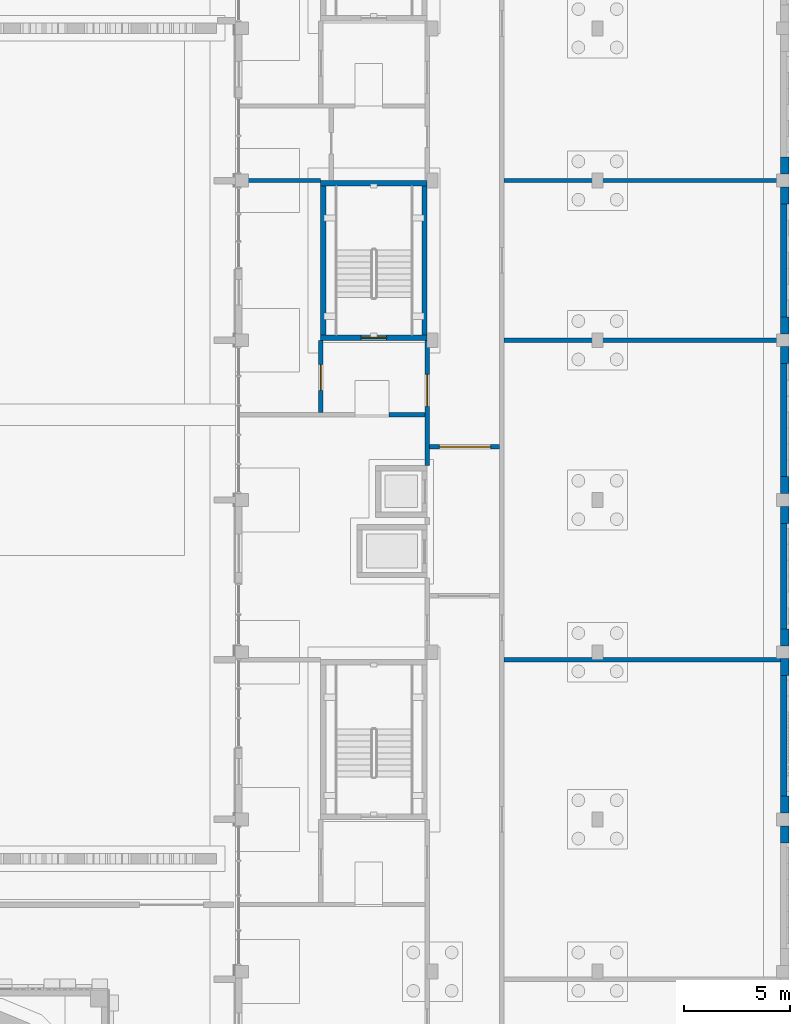
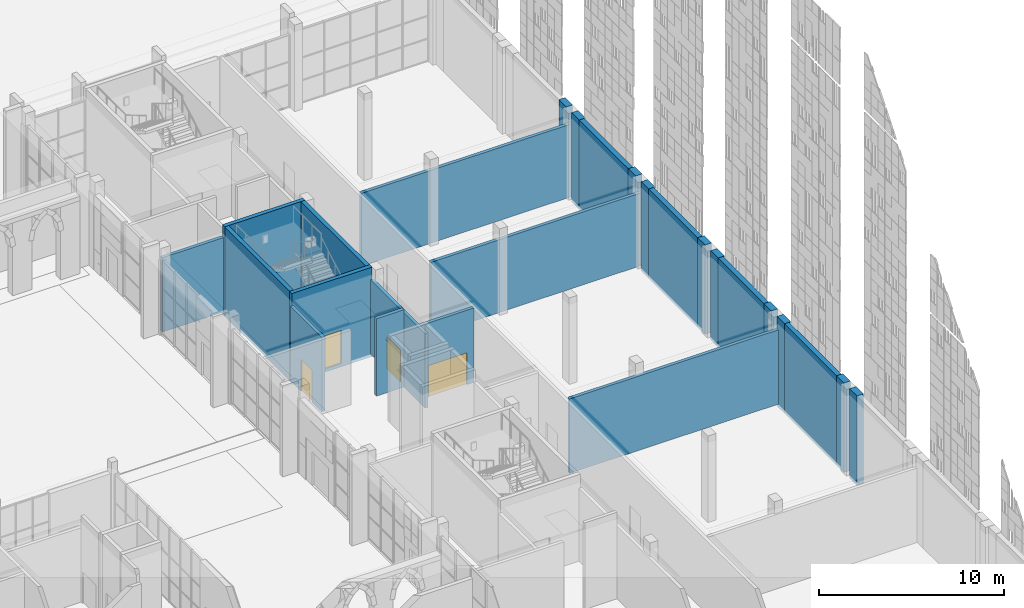
# One storey, part 55 of 125: 26 walls, 4 doors, 4 openings.
"""IFC4 building model written with IfcOpenShell, lengths in metres."""

from ifc_helpers import new_model, si_unit, direction, frame, frame_2d, origin, place, context, subcontext, project, spatial, rectangle, extrude, material, layer, layer_set, type_object, element, fill, save


model = new_model("IFC4")

# Units and contexts
model_context = context("Model", 3, precision=1e-05, world=origin(), true_north=direction((0.0, 1.0)))
body_context = subcontext(model_context, "Body", "Model", "MODEL_VIEW")
ifc_project = project(units=[si_unit("LENGTHUNIT", "METRE"), si_unit("AREAUNIT", "SQUARE_METRE"), si_unit("VOLUMEUNIT", "CUBIC_METRE"), si_unit("PLANEANGLEUNIT", "RADIAN"), si_unit("MASSUNIT", "GRAM", prefix="KILO")], contexts=[model_context])

# Site, building, storey
site_placement = place(None, origin())
site = spatial("IfcSite", under=ifc_project, at=site_placement, CompositionType="ELEMENT")
building_placement = place(site_placement, origin())
building = spatial("IfcBuilding", under=site, at=building_placement, Name="Sun Court Science Centre", CompositionType="ELEMENT")
storey_placement = place(building_placement, origin())
storey = spatial("IfcBuildingStorey", under=building, at=storey_placement, Name="L00", CompositionType="ELEMENT", Elevation=0.0)

# Walls
ifc_material_1 = material(Name="Gypsum board")
ifc_layer_1 = layer(ifc_material_1, 0.199951171875)
ifc_layer_set_1 = layer_set([ifc_layer_1], Name="Gypsum board")
wall_type_1 = type_object("IfcWallType", Name="Partition 200 acoustic double stud", PredefinedType="PARTITIONING", material=ifc_layer_set_1)
for number, where, z_axis, x_axis, name in (
    (1, (90.60009765625, 58.5, 0.0), (0.0, 0.0, 1.0), (1.0, 0.0, 0.0), "L00 partition 012"),
    (2, (90.60009765625, 66.0, 0.0), (0.0, 0.0, 1.0), (1.0, 0.0, 0.0), "L00 partition 014"),
):
    element("IfcWall", number, at=place(storey_placement, frame(where, z_axis=z_axis, x_axis=x_axis)), inside=storey, type_object=wall_type_1, Name=name, PredefinedType="PARTITIONING", context=body_context, shape_type="SweptSolid", body=[
        extrude(rectangle(XDim=13.199951171875, YDim=0.199951171875, at=frame_2d((6.60009765625, 0.0))), origin(), (0.0, 0.0, 1.0), 4.800048828125),
    ])
ifc_material_2 = material(Name="Concrete block", Category="concrete")
ifc_layer_2 = layer(ifc_material_2, 0.199951171875)
ifc_layer_set_2 = layer_set([ifc_layer_2], Name="Concrete block")
wall_type_2 = type_object("IfcWallType", Name="Partition 200 block EI60", PredefinedType="PARTITIONING", material=ifc_layer_set_2)
wall_1_placement = place(storey_placement, frame((85.199951171875, 55.0, 0.0), z_axis=(0.0, 0.0, 1.0), x_axis=(1.0, 0.0, 0.0)))
element("IfcWall", 3, at=wall_1_placement, inside=storey, type_object=wall_type_2, Name="L00 partition 011", PredefinedType="PARTITIONING", context=body_context, shape_type="SweptSolid", body=[
    extrude(rectangle(XDim=1.699951171875, YDim=0.199951171875, at=frame_2d((0.85009765625, 0.0))), origin(), (0.0, 0.0, 1.0), 5.10009765625),
])
wall_2_placement = place(storey_placement, frame((78.199951171875, 66.0, 0.0), z_axis=(0.0, 0.0, 1.0), x_axis=(1.0, 0.0, 0.0)))
element("IfcWall", 4, at=wall_2_placement, inside=storey, type_object=wall_type_2, Name="L00 partition 013", PredefinedType="PARTITIONING", context=body_context, shape_type="SweptSolid", body=[
    extrude(rectangle(XDim=3.798095703125, YDim=0.199951171875, at=frame_2d((1.89892578125, 0.0))), origin(), (0.0, 0.0, 1.0), 4.89990234375),
])

# Wall, opening, door
wall_3_placement = place(storey_placement, frame((82.0, 55.10009765625, 0.0), z_axis=(0.0, 0.0, 1.0), x_axis=(0.0, 1.0, 0.0)))
wall_3 = element("IfcWall", 5, at=wall_3_placement, inside=storey, type_object=wall_type_2, Name="L00 partition 026", PredefinedType="PARTITIONING", context=body_context, shape_type="SweptSolid", body=[
    extrude(rectangle(XDim=3.39794921875, YDim=0.199951171875, at=frame_2d((1.698974609375, 0.0))), origin(), (0.0, 0.0, 1.0), 4.89990234375),
])
opening_1_placement = place(wall_3_placement, frame((1.051025390625, 0.0, 0.0)))
opening_1 = element("IfcOpeningElement", 6, at=opening_1_placement, cuts=wall_3, Name="Opening D-L00-048", PredefinedType="OPENING", context=body_context, shape_type="SweptSolid", body=[
    extrude(rectangle(XDim=1.199951171875, YDim=2.10009765625, at=frame_2d((0.60009765625, 1.050048828125))), frame((0.0, 0.10986328125, 0.0), z_axis=(0.0, -1.0, 0.0), x_axis=(1.0, 0.0, 0.0)), (0.0, 0.0, 1.0), 0.219970703125),
])
ifc_material_3 = material(Name="Timber", Category="wood")
door_type_1 = type_object("IfcDoorType", Name="Door 1200x2100 single leaf", OperationType="NOTDEFINED", PredefinedType="DOOR", material=ifc_material_3)
door_1_placement = place(opening_1_placement, origin())
door_1 = element("IfcDoor", 7, at=door_1_placement, inside=storey, type_object=door_type_1, Name="Door D-L00-048", OperationType="SINGLE_SWING_RIGHT", OverallHeight=2.10009765625, OverallWidth=1.199951171875, PredefinedType="DOOR", context=body_context, shape_type="SweptSolid", body=[
    extrude(rectangle(XDim=1.199951171875, YDim=2.10009765625, at=frame_2d((0.60009765625, 1.050048828125))), frame((0.0, 0.02490234375, 0.0), z_axis=(0.0, -1.0, 0.0), x_axis=(1.0, 0.0, 0.0)), (0.0, 0.0, 1.0), 0.050048828125),
])
fill(opening_1, door_1)

ifc_material_4 = material(Name="Concrete block", Category="concrete")
ifc_layer_3 = layer(ifc_material_4, 0.199951171875)
ifc_layer_set_3 = layer_set([ifc_layer_3], Name="Concrete block")
wall_type_3 = type_object("IfcWallType", Name="Partition 200 corridor block EI120", PredefinedType="PARTITIONING", material=ifc_layer_set_3)
wall_4_placement = place(storey_placement, frame((87.10009765625, 53.5, 0.0), z_axis=(0.0, 0.0, 1.0), x_axis=(1.0, 0.0, 0.0)))
wall_4 = element("IfcWall", 8, at=wall_4_placement, inside=storey, type_object=wall_type_3, Name="L00 partition 009", PredefinedType="PARTITIONING", context=body_context, shape_type="SweptSolid", body=[
    extrude(rectangle(XDim=3.2998046875, YDim=0.199951171875, at=frame_2d((1.64990234375, 0.0))), origin(), (0.0, 0.0, 1.0), 4.89990234375),
])
opening_2_placement = place(wall_4_placement, frame((0.47705078125, 0.0, 0.0)))
opening_2 = element("IfcOpeningElement", 9, at=opening_2_placement, cuts=wall_4, Name="Opening D-L00-032", PredefinedType="OPENING", context=body_context, shape_type="SweptSolid", body=[
    extrude(rectangle(XDim=2.39990234375, YDim=2.10009765625, at=frame_2d((1.199951171875, 1.050048828125))), frame((0.0, 0.10986328125, 0.0), z_axis=(0.0, -1.0, 0.0), x_axis=(1.0, 0.0, 0.0)), (0.0, 0.0, 1.0), 0.219970703125),
])
ifc_material_5 = material(Name="Steel", Category="steel")
door_type_2 = type_object("IfcDoorType", Name="Door 2400x2100 double leaf FD60", OperationType="DOUBLE_DOOR_SINGLE_SWING", PredefinedType="DOOR", material=ifc_material_5)
door_2_placement = place(opening_2_placement, origin())
door_2 = element("IfcDoor", 10, at=door_2_placement, inside=storey, type_object=door_type_2, Name="Door D-L00-032", OperationType="DOUBLE_DOOR_SINGLE_SWING", OverallHeight=2.10009765625, OverallWidth=2.39990234375, PredefinedType="DOOR", context=body_context, shape_type="SweptSolid", body=[
    extrude(rectangle(XDim=2.39990234375, YDim=2.10009765625, at=frame_2d((1.199951171875, 1.050048828125))), frame((0.0, 0.02490234375, 0.0), z_axis=(0.0, -1.0, 0.0), x_axis=(1.0, 0.0, 0.0)), (0.0, 0.0, 1.0), 0.050048828125),
])
fill(opening_2, door_2)

wall_5_placement = place(storey_placement, frame((87.0, 52.614501953125, 0.0), z_axis=(0.0, 0.0, 1.0), x_axis=(0.0, 1.0, 0.0)))
wall_5 = element("IfcWall", 11, at=wall_5_placement, inside=storey, type_object=wall_type_3, Name="L00 partition 022", PredefinedType="PARTITIONING", context=body_context, shape_type="SweptSolid", body=[
    extrude(rectangle(XDim=5.883544921875, YDim=0.199951171875, at=frame_2d((2.94189453125, 0.0))), origin(), (0.0, 0.0, 1.0), 4.89990234375),
])
opening_3_placement = place(wall_5_placement, frame((2.785400390625, 0.0, 0.0)))
opening_3 = element("IfcOpeningElement", 12, at=opening_3_placement, cuts=wall_5, Name="Opening D-L00-039", PredefinedType="OPENING", context=body_context, shape_type="SweptSolid", body=[
    extrude(rectangle(XDim=1.5, YDim=2.10009765625, at=frame_2d((0.75, 1.050048828125))), frame((0.0, 0.10986328125, 0.0), z_axis=(0.0, -1.0, 0.0), x_axis=(1.0, 0.0, 0.0)), (0.0, 0.0, 1.0), 0.219970703125),
])
ifc_material_6 = material(Name="Steel", Category="steel")
door_type_3 = type_object("IfcDoorType", Name="Door 1500x2100 double leaf FD60", OperationType="DOUBLE_DOOR_SINGLE_SWING", PredefinedType="DOOR", material=ifc_material_6)
door_3_placement = place(opening_3_placement, origin())
door_3 = element("IfcDoor", 13, at=door_3_placement, inside=storey, type_object=door_type_3, Name="Door D-L00-039", OperationType="DOUBLE_DOOR_SINGLE_SWING", OverallHeight=2.10009765625, OverallWidth=1.5, PredefinedType="DOOR", context=body_context, shape_type="SweptSolid", body=[
    extrude(rectangle(XDim=1.5, YDim=2.10009765625, at=frame_2d((0.75, 1.050048828125))), frame((0.0, 0.02490234375, 0.0), z_axis=(0.0, -1.0, 0.0), x_axis=(1.0, 0.0, 0.0)), (0.0, 0.0, 1.0), 0.050048828125),
])
fill(opening_3, door_3)

# Walls
ifc_material_7 = material(Name="Gypsum board")
ifc_layer_4 = layer(ifc_material_7, 0.199951171875)
ifc_layer_set_4 = layer_set([ifc_layer_4], Name="Gypsum board")
wall_type_4 = type_object("IfcWallType", Name="Partition 200 stud EI30", PredefinedType="PARTITIONING", material=ifc_layer_set_4)
wall_6_placement = place(storey_placement, frame((90.60009765625, 43.5, 0.0), z_axis=(0.0, 0.0, 1.0), x_axis=(1.0, 0.0, 0.0)))
element("IfcWall", 14, at=wall_6_placement, inside=storey, type_object=wall_type_4, Name="L00 partition 007", PredefinedType="PARTITIONING", context=body_context, shape_type="SweptSolid", body=[
    extrude(rectangle(XDim=12.997802734375, YDim=0.199951171875, at=frame_2d((6.4990234375, 0.0))), origin(), (0.0, 0.0, 1.0), 4.89990234375),
])
ifc_material_8 = material(Name="Concrete C30/37", Category="concrete")
ifc_layer_5 = layer(ifc_material_8, 0.39990234375)
ifc_layer_set_5 = layer_set([ifc_layer_5], Name="Concrete C30/37")
wall_type_5 = type_object("IfcWallType", Name="RC party wall exterior 400", PredefinedType="SOLIDWALL", material=ifc_layer_set_5)
for number, where, z_axis, x_axis, name in (
    (15, (103.800048828125, 34.89990234375, -0.199951171875), (0.0, 0.0, 1.0), (0.0, 1.0, 0.0), "East party wall L00"),
    (16, (103.800048828125, 36.300048828125, -0.199951171875), (0.0, 0.0, 1.0), (0.0, 1.0, 0.0), "East party wall L00"),
    (17, (103.800048828125, 42.75, -0.199951171875), (0.0, 0.0, 1.0), (0.0, 1.0, 0.0), "East party wall L00"),
    (18, (103.800048828125, 44.14990234375, -0.199951171875), (0.0, 0.0, 1.0), (0.0, 1.0, 0.0), "East party wall L00"),
    (19, (103.800048828125, 49.89990234375, -0.199951171875), (0.0, 0.0, 1.0), (0.0, 1.0, 0.0), "East party wall L00"),
    (20, (103.800048828125, 51.300048828125, -0.199951171875), (0.0, 0.0, 1.0), (0.0, 1.0, 0.0), "East party wall L00"),
    (21, (103.800048828125, 57.39990234375, -0.199951171875), (0.0, 0.0, 1.0), (0.0, 1.0, 0.0), "East party wall L00"),
    (22, (103.800048828125, 58.800048828125, -0.199951171875), (0.0, 0.0, 1.0), (0.0, 1.0, 0.0), "East party wall L00"),
    (23, (103.800048828125, 64.89990234375, -0.199951171875), (0.0, 0.0, 1.0), (0.0, 1.0, 0.0), "East party wall L00"),
    (24, (103.800048828125, 66.300048828125, -0.199951171875), (0.0, 0.0, 1.0), (0.0, 1.0, 0.0), "East party wall L00"),
):
    element("IfcWall", number, at=place(storey_placement, frame(where, z_axis=z_axis, x_axis=x_axis)), inside=storey, type_object=wall_type_5, Name=name, PredefinedType="SOLIDWALL", context=body_context, shape_type="SweptSolid", body=[
        extrude(rectangle(XDim=0.800048828125, YDim=0.39990234375, at=frame_2d((0.39990234375, 0.0))), origin(), (0.0, 0.0, 1.0), 5.89990234375),
    ])
ifc_material_9 = material(Name="Concrete C30/37", Category="concrete")
ifc_layer_6 = layer(ifc_material_9, 0.300048828125)
ifc_layer_set_6 = layer_set([ifc_layer_6], Name="Concrete C30/37")
wall_type_6 = type_object("IfcWallType", Name="RC party wall panel exterior 300", PredefinedType="SOLIDWALL", material=ifc_layer_set_6)
wall_7_placement = place(storey_placement, frame((103.75, 37.10009765625, -0.199951171875), z_axis=(0.0, 0.0, 1.0), x_axis=(0.0, 1.0, 0.0)))
element("IfcWall", 25, at=wall_7_placement, inside=storey, type_object=wall_type_6, Name="East party wall L00 panel", PredefinedType="SOLIDWALL", context=body_context, shape_type="SweptSolid", body=[
    extrude(rectangle(XDim=5.64990234375, YDim=0.300048828125, at=frame_2d((2.824951171875, 0.0))), origin(), (0.0, 0.0, 1.0), 5.89990234375),
])
wall_8_placement = place(storey_placement, frame((103.75, 44.949951171875, -0.199951171875), z_axis=(0.0, 0.0, 1.0), x_axis=(0.0, 1.0, 0.0)))
element("IfcWall", 26, at=wall_8_placement, inside=storey, type_object=wall_type_6, Name="East party wall L00 panel", PredefinedType="SOLIDWALL", context=body_context, shape_type="SweptSolid", body=[
    extrude(rectangle(XDim=4.949951171875, YDim=0.300048828125, at=frame_2d((2.47509765625, 0.0))), origin(), (0.0, 0.0, 1.0), 5.89990234375),
])
for number, where, z_axis, x_axis, name in (
    (27, (103.75, 52.10009765625, -0.199951171875), (0.0, 0.0, 1.0), (0.0, 1.0, 0.0), "East party wall L00 panel"),
    (28, (103.75, 59.60009765625, -0.199951171875), (0.0, 0.0, 1.0), (0.0, 1.0, 0.0), "East party wall L00 panel"),
):
    element("IfcWall", number, at=place(storey_placement, frame(where, z_axis=z_axis, x_axis=x_axis)), inside=storey, type_object=wall_type_6, Name=name, PredefinedType="SOLIDWALL", context=body_context, shape_type="SweptSolid", body=[
        extrude(rectangle(XDim=5.2998046875, YDim=0.300048828125, at=frame_2d((2.64990234375, 0.0))), origin(), (0.0, 0.0, 1.0), 5.89990234375),
    ])

# Wall, opening, door
ifc_material_10 = material(Name="Concrete C30/37", Category="concrete")
ifc_layer_7 = layer(ifc_material_10, 0.25)
ifc_layer_set_7 = layer_set([ifc_layer_7], Name="Concrete C30/37")
wall_type_7 = type_object("IfcWallType", Name="RC stair core wall 250", PredefinedType="SHEAR", material=ifc_layer_set_7)
wall_9_placement = place(storey_placement, frame((82.0, 58.625, -0.199951171875), z_axis=(0.0, 0.0, 1.0), x_axis=(1.0, 0.0, 0.0)))
wall_9 = element("IfcWall", 29, at=wall_9_placement, inside=storey, type_object=wall_type_7, Name="Stair core SL3 wall S, L00", PredefinedType="SHEAR", context=body_context, shape_type="SweptSolid", body=[
    extrude(rectangle(XDim=5.0, YDim=0.25, at=frame_2d((2.5, 0.0))), origin(), (0.0, 0.0, 1.0), 5.89990234375),
])
opening_4_placement = place(wall_9_placement, frame((1.89990234375, 0.0, 0.199951171875)))
opening_4 = element("IfcOpeningElement", 30, at=opening_4_placement, cuts=wall_9, Name="Opening D-L00-038", PredefinedType="OPENING", context=body_context, shape_type="SweptSolid", body=[
    extrude(rectangle(XDim=1.199951171875, YDim=2.199951171875, at=frame_2d((0.60009765625, 1.10009765625))), frame((0.0, 0.135009765625, 0.0), z_axis=(0.0, -1.0, 0.0), x_axis=(1.0, 0.0, 0.0)), (0.0, 0.0, 1.0), 0.27001953125),
])
ifc_material_11 = material(Name="Steel", Category="steel")
door_type_4 = type_object("IfcDoorType", Name="Door 1200x2200 single leaf FD60", OperationType="NOTDEFINED", PredefinedType="DOOR", material=ifc_material_11)
door_4_placement = place(opening_4_placement, origin())
door_4 = element("IfcDoor", 31, at=door_4_placement, inside=storey, type_object=door_type_4, Name="Door D-L00-038", OperationType="SINGLE_SWING_LEFT", OverallHeight=2.199951171875, OverallWidth=1.199951171875, PredefinedType="DOOR", context=body_context, shape_type="SweptSolid", body=[
    extrude(rectangle(XDim=1.199951171875, YDim=2.199951171875, at=frame_2d((0.60009765625, 1.10009765625))), frame((0.0, 0.02490234375, 0.0), z_axis=(0.0, -1.0, 0.0), x_axis=(1.0, 0.0, 0.0)), (0.0, 0.0, 1.0), 0.050048828125),
])
fill(opening_4, door_4)

# Walls
wall_10_placement = place(storey_placement, frame((86.875, 58.75, -0.199951171875), z_axis=(0.0, 0.0, 1.0), x_axis=(0.0, 1.0, 0.0)))
element("IfcWall", 32, at=wall_10_placement, inside=storey, type_object=wall_type_7, Name="Stair core SL3 wall E, L00", PredefinedType="SHEAR", context=body_context, shape_type="SweptSolid", body=[
    extrude(rectangle(XDim=7.0, YDim=0.25, at=frame_2d((3.5, 0.0))), origin(), (0.0, 0.0, 1.0), 5.89990234375),
])
wall_11_placement = place(storey_placement, frame((82.0, 65.875, -0.199951171875), z_axis=(0.0, 0.0, 1.0), x_axis=(1.0, 0.0, 0.0)))
element("IfcWall", 33, at=wall_11_placement, inside=storey, type_object=wall_type_7, Name="Stair core SL3 wall N, L00", PredefinedType="SHEAR", context=body_context, shape_type="SweptSolid", body=[
    extrude(rectangle(XDim=5.0, YDim=0.25, at=frame_2d((2.5, 0.0))), origin(), (0.0, 0.0, 1.0), 5.89990234375),
])
wall_12_placement = place(storey_placement, frame((82.125, 58.75, -0.199951171875), z_axis=(0.0, 0.0, 1.0), x_axis=(0.0, 1.0, 0.0)))
element("IfcWall", 34, at=wall_12_placement, inside=storey, type_object=wall_type_7, Name="Stair core SL3 wall W, L00", PredefinedType="SHEAR", context=body_context, shape_type="SweptSolid", body=[
    extrude(rectangle(XDim=7.0, YDim=0.25, at=frame_2d((3.5, 0.0))), origin(), (0.0, 0.0, 1.0), 5.89990234375),
])

save(model, "model.ifc")
